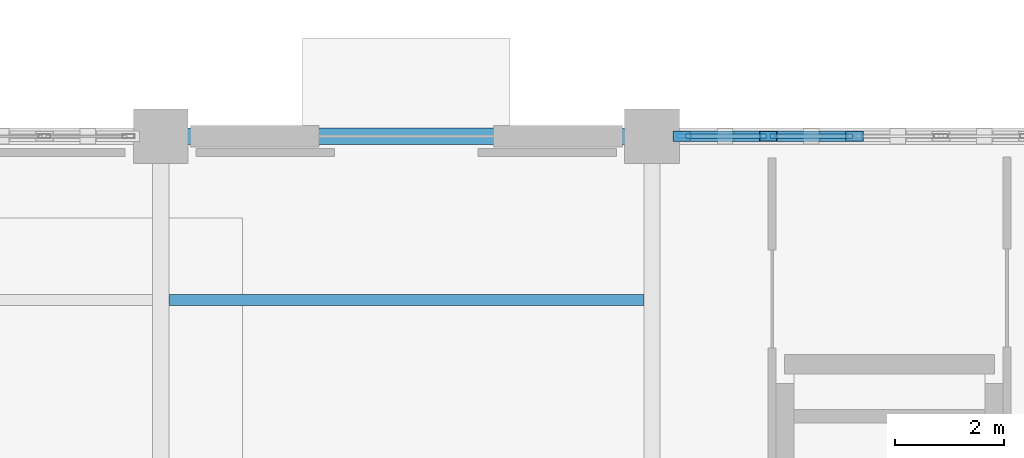
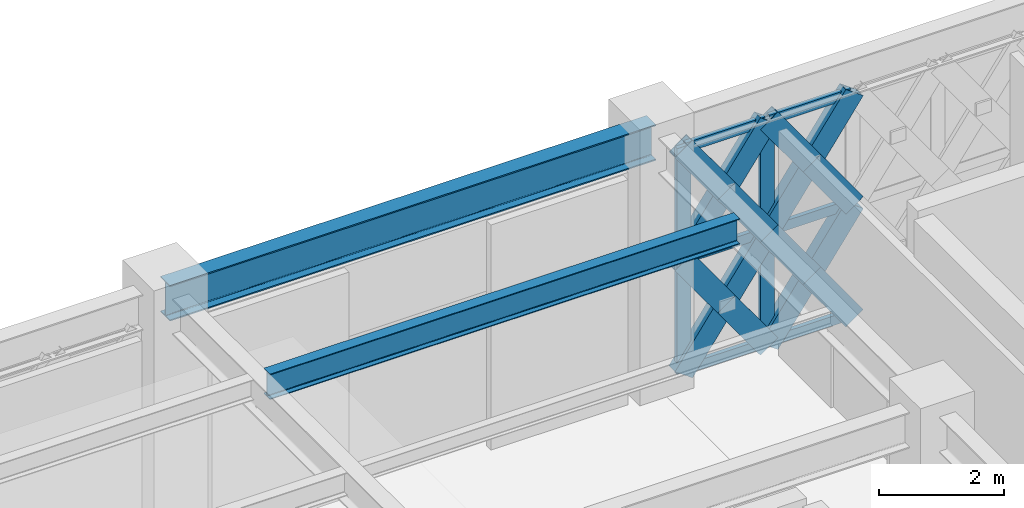
# One storey, part 44 of 140: 20 members, 2 beams, 1 element without a shape of its own.
"""IFC4 building model written with IfcOpenShell, lengths in metres."""

from ifc_helpers import new_model, si_unit, direction, frame, origin, origin_2d, place, context, subcontext, project, spatial, hollow_rectangle, i_section, extrude, material, material_profile, profile_set, type_object, element, aggregate, save


model = new_model("IFC4")

# Units and contexts
model_context = context("Model", 3, precision=1e-05, world=origin(), true_north=direction((0.0, 1.0)))
body_context = subcontext(model_context, "Body", "Model", "MODEL_VIEW")
ifc_project = project(units=[si_unit("LENGTHUNIT", "METRE"), si_unit("AREAUNIT", "SQUARE_METRE"), si_unit("VOLUMEUNIT", "CUBIC_METRE"), si_unit("PLANEANGLEUNIT", "RADIAN"), si_unit("MASSUNIT", "GRAM", prefix="KILO")], contexts=[model_context])

# Site, building, storey
site_placement = place(None, origin())
site = spatial("IfcSite", under=ifc_project, at=site_placement, CompositionType="ELEMENT")
building_placement = place(site_placement, origin())
building = spatial("IfcBuilding", under=site, at=building_placement, Name="Haizhuo Lancet Aquarium", CompositionType="ELEMENT")
storey_placement = place(building_placement, origin())
storey = spatial("IfcBuildingStorey", under=building, at=storey_placement, Name="L00", CompositionType="ELEMENT", Elevation=0.0)

# Beam
ifc_material_1 = material(Name="Steel S355", Category="steel")
ifc_material_profile_1 = material_profile(ifc_material_1, i_section(OverallWidth=0.300048828125, OverallDepth=0.699951171875, WebThickness=0.012939453125, FlangeThickness=0.02392578125, FilletRadius=0.02587890625, at=origin_2d()), Name="HN 700x300x13x24")
ifc_profile_set_1 = profile_set([ifc_material_profile_1], Name="Steel S355")
beam_type_1 = type_object("IfcBeamType", Name="BM-ST-HN700", PredefinedType="BEAM", material=ifc_profile_set_1)
beam_1_placement = place(storey_placement, frame((-63.0, 27.0, 4.77001953125), z_axis=(1.0, 0.0, 0.0), x_axis=(0.0, 1.0, 0.0)))
element("IfcBeam", 1, at=beam_1_placement, inside=storey, type_object=beam_type_1, Name="L00 V2 primary girder BM-L00-V2-012", PredefinedType="BEAM", context=body_context, shape_type="SweptSolid", body=[
    extrude(i_section(OverallWidth=0.300048828125, OverallDepth=0.699951171875, WebThickness=0.012939453125, FlangeThickness=0.02392578125, FilletRadius=0.02587890625, at=origin_2d()), origin(), (0.0, 0.0, 1.0), 9.0),
])

# Curtain wall, members
ifc_material_2 = material(Name="Aluminium 6063-T6", Category="aluminium")
curtain_wall_type = type_object("IfcCurtainWallType", Name="CWD-7910x4420", PredefinedType="NOTDEFINED", material=ifc_material_2)
curtain_wall_placement = place(storey_placement, origin())
curtain_wall = element("IfcCurtainWall", 2, at=curtain_wall_placement, inside=storey, type_object=curtain_wall_type, Name="L00 curtain wall CW-V2-L00-015", PredefinedType="NOTDEFINED")
ifc_material_profile_2 = material_profile(ifc_material_2, hollow_rectangle(XDim=0.080078125, YDim=0.260009765625, WallThickness=0.0048828125, at=origin_2d()), Name="ALU-M 80x260x5")
ifc_profile_set_2 = profile_set([ifc_material_profile_2], Name="Aluminium 6063-T6")
member_type_1 = type_object("IfcMemberType", Name="CW-MUL-3", PredefinedType="MULLION", material=ifc_profile_set_2)
member_1_placement = place(storey_placement, frame((-53.4150390625, 27.0, 0.0), z_axis=(0.0, 0.0, 1.0), x_axis=(0.0, 1.0, 0.0)))
member_1 = element("IfcMember", 3, at=member_1_placement, type_object=member_type_1, Name="CWD-79x44 mullion 1", PredefinedType="MULLION", context=body_context, shape_type="SweptSolid", body=[
    extrude(hollow_rectangle(XDim=0.080078125, YDim=0.260009765625, WallThickness=0.0048828125, at=origin_2d()), origin(), (0.0, 0.0, 1.0), 4.419921875),
])
member_2_placement = place(storey_placement, frame((-51.873046875, 27.0, 0.0), z_axis=(0.0, 0.0, 1.0), x_axis=(0.0, 1.0, 0.0)))
member_2 = element("IfcMember", 4, at=member_2_placement, type_object=member_type_1, Name="CWD-79x44 mullion 2", PredefinedType="MULLION", context=body_context, shape_type="SweptSolid", body=[
    extrude(hollow_rectangle(XDim=0.080078125, YDim=0.260009765625, WallThickness=0.0048828125, at=origin_2d()), origin(), (0.0, 0.0, 1.0), 4.419921875),
])
ifc_material_profile_3 = material_profile(ifc_material_2, hollow_rectangle(XDim=0.080078125, YDim=0.18994140625, WallThickness=0.0048828125, at=origin_2d()), Name="ALU-T 80x190x5")
ifc_profile_set_3 = profile_set([ifc_material_profile_3], Name="Aluminium 6063-T6")
member_type_2 = type_object("IfcMemberType", Name="CW-TRN-3", PredefinedType="NOTDEFINED", material=ifc_profile_set_3)
member_3_placement = place(storey_placement, frame((-53.375, 27.0, 0.0400390625), z_axis=(1.0, 0.0, 0.0), x_axis=(0.0, 1.0, 0.0)))
member_3 = element("IfcMember", 5, at=member_3_placement, type_object=member_type_2, Name="CWD-79x44 transom 1.1", ObjectType="TRANSOM", PredefinedType="USERDEFINED", context=body_context, shape_type="SweptSolid", body=[
    extrude(hollow_rectangle(XDim=0.080078125, YDim=0.18994140625, WallThickness=0.0048828125, at=origin_2d()), origin(), (0.0, 0.0, 1.0), 1.4619140625),
])
member_4_placement = place(storey_placement, frame((-53.375, 27.0, 2.2099609375), z_axis=(1.0, 0.0, 0.0), x_axis=(0.0, 1.0, 0.0)))
member_4 = element("IfcMember", 6, at=member_4_placement, type_object=member_type_2, Name="CWD-79x44 transom 1.2", ObjectType="TRANSOM", PredefinedType="USERDEFINED", context=body_context, shape_type="SweptSolid", body=[
    extrude(hollow_rectangle(XDim=0.080078125, YDim=0.18994140625, WallThickness=0.0048828125, at=origin_2d()), origin(), (0.0, 0.0, 1.0), 1.4619140625),
])
member_5_placement = place(storey_placement, frame((-53.375, 27.0, 4.3798828125), z_axis=(1.0, 0.0, 0.0), x_axis=(0.0, 1.0, 0.0)))
member_5 = element("IfcMember", 7, at=member_5_placement, type_object=member_type_2, Name="CWD-79x44 transom 1.3", ObjectType="TRANSOM", PredefinedType="USERDEFINED", context=body_context, shape_type="SweptSolid", body=[
    extrude(hollow_rectangle(XDim=0.080078125, YDim=0.18994140625, WallThickness=0.0048828125, at=origin_2d()), origin(), (0.0, 0.0, 1.0), 1.4619140625),
])
member_6_placement = place(storey_placement, frame((-51.8330078125, 27.0, 0.0400390625), z_axis=(1.0, 0.0, 0.0), x_axis=(0.0, 1.0, 0.0)))
member_6 = element("IfcMember", 8, at=member_6_placement, type_object=member_type_2, Name="CWD-79x44 transom 2.1", ObjectType="TRANSOM", PredefinedType="USERDEFINED", context=body_context, shape_type="SweptSolid", body=[
    extrude(hollow_rectangle(XDim=0.080078125, YDim=0.18994140625, WallThickness=0.0048828125, at=origin_2d()), origin(), (0.0, 0.0, 1.0), 1.501953125),
])
member_7_placement = place(storey_placement, frame((-51.8330078125, 27.0, 2.2099609375), z_axis=(1.0, 0.0, 0.0), x_axis=(0.0, 1.0, 0.0)))
member_7 = element("IfcMember", 9, at=member_7_placement, type_object=member_type_2, Name="CWD-79x44 transom 2.2", ObjectType="TRANSOM", PredefinedType="USERDEFINED", context=body_context, shape_type="SweptSolid", body=[
    extrude(hollow_rectangle(XDim=0.080078125, YDim=0.18994140625, WallThickness=0.0048828125, at=origin_2d()), origin(), (0.0, 0.0, 1.0), 1.501953125),
])
member_8_placement = place(storey_placement, frame((-51.8330078125, 27.0, 4.3798828125), z_axis=(1.0, 0.0, 0.0), x_axis=(0.0, 1.0, 0.0)))
member_8 = element("IfcMember", 10, at=member_8_placement, type_object=member_type_2, Name="CWD-79x44 transom 2.3", ObjectType="TRANSOM", PredefinedType="USERDEFINED", context=body_context, shape_type="SweptSolid", body=[
    extrude(hollow_rectangle(XDim=0.080078125, YDim=0.18994140625, WallThickness=0.0048828125, at=origin_2d()), origin(), (0.0, 0.0, 1.0), 1.501953125),
])
aggregate(curtain_wall, [member_1, member_2, member_3, member_4, member_5, member_6, member_7, member_8])

# Beam
ifc_material_profile_4 = material_profile(ifc_material_1, i_section(OverallWidth=0.199951171875, OverallDepth=0.5, WebThickness=0.010009765625, FlangeThickness=0.01611328125, FilletRadius=0.02001953125, at=origin_2d()), Name="HN 500x200x10x16")
ifc_profile_set_4 = profile_set([ifc_material_profile_4], Name="Steel S355")
beam_type_2 = type_object("IfcBeamType", Name="JST-ST-HN500", PredefinedType="JOIST", material=ifc_profile_set_4)
beam_2_placement = place(storey_placement, frame((-62.85009765625, 24.0, 4.8701171875), z_axis=(1.0, 0.0, 0.0), x_axis=(0.0, 1.0, 0.0)))
element("IfcBeam", 11, at=beam_2_placement, inside=storey, type_object=beam_type_2, Name="L00 V2 secondary floor joist 9", PredefinedType="JOIST", context=body_context, shape_type="SweptSolid", body=[
    extrude(i_section(OverallWidth=0.199951171875, OverallDepth=0.5, WebThickness=0.010009765625, FlangeThickness=0.01611328125, FilletRadius=0.02001953125, at=origin_2d()), origin(), (0.0, 0.0, 1.0), 8.7001953125),
])

# Members
ifc_material_profile_5 = material_profile(ifc_material_1, hollow_rectangle(XDim=0.199951171875, YDim=0.39990234375, WallThickness=0.011962890625, at=origin_2d()), Name="RHS 200x400x12")
ifc_profile_set_5 = profile_set([ifc_material_profile_5], Name="Steel S355")
member_type_3 = type_object("IfcMemberType", Name="MEM-LB-RHS200x400", PredefinedType="BRACE", material=ifc_profile_set_5)
member_9_placement = place(storey_placement, frame((-53.455078125, 27.0, 0.0), z_axis=(0.582087604305, 0.0, 0.813126079347), x_axis=(0.0, 1.0, 0.0)))
element("IfcMember", 12, at=member_9_placement, inside=storey, type_object=member_type_3, Name="Gothic lancet continuous diagonal brace CW-V2-L00-015 1A", PredefinedType="BRACE", context=body_context, shape_type="SweptSolid", body=[
    extrude(hollow_rectangle(XDim=0.199951171875, YDim=0.39990234375, WallThickness=0.011962890625, at=origin_2d()), origin(), (0.0, 0.0, 1.0), 2.7177734375),
])
for number, where, z_axis, x_axis, name in (
    (13, (-51.873046875, 27.0, 0.0), (-0.582087604305, 0.0, 0.813126079347), (0.0, -1.0, 0.0), "Gothic lancet split diagonal brace CW-V2-L00-015 1B1"),
    (14, (-52.6640625, 27.0, 1.10498046875), (-0.582087604305, 0.0, 0.813126079347), (0.0, -1.0, 0.0), "Gothic lancet split diagonal brace CW-V2-L00-015 1B2"),
):
    element("IfcMember", number, at=place(storey_placement, frame(where, z_axis=z_axis, x_axis=x_axis)), inside=storey, type_object=member_type_3, Name=name, PredefinedType="BRACE", context=body_context, shape_type="SweptSolid", body=[
        extrude(hollow_rectangle(XDim=0.199951171875, YDim=0.39990234375, WallThickness=0.011962890625, at=origin_2d()), origin(), (0.0, 0.0, 1.0), 1.35888671875),
    ])
member_10_placement = place(storey_placement, frame((-53.455078125, 27.0, 2.2099609375), z_axis=(0.582087604305, 0.0, 0.813126079347), x_axis=(0.0, 1.0, 0.0)))
element("IfcMember", 15, at=member_10_placement, inside=storey, type_object=member_type_3, Name="Gothic lancet continuous diagonal brace CW-V2-L00-015 2A", PredefinedType="BRACE", context=body_context, shape_type="SweptSolid", body=[
    extrude(hollow_rectangle(XDim=0.199951171875, YDim=0.39990234375, WallThickness=0.011962890625, at=origin_2d()), origin(), (0.0, 0.0, 1.0), 2.7177734375),
])
for number, where, z_axis, x_axis, name in (
    (16, (-51.873046875, 27.0, 2.2099609375), (-0.582087604305, 0.0, 0.813126079347), (0.0, -1.0, 0.0), "Gothic lancet split diagonal brace CW-V2-L00-015 2B1"),
    (17, (-52.6640625, 27.0, 3.31494140625), (-0.582087604305, 0.0, 0.813126079347), (0.0, -1.0, 0.0), "Gothic lancet split diagonal brace CW-V2-L00-015 2B2"),
):
    element("IfcMember", number, at=place(storey_placement, frame(where, z_axis=z_axis, x_axis=x_axis)), inside=storey, type_object=member_type_3, Name=name, PredefinedType="BRACE", context=body_context, shape_type="SweptSolid", body=[
        extrude(hollow_rectangle(XDim=0.199951171875, YDim=0.39990234375, WallThickness=0.011962890625, at=origin_2d()), origin(), (0.0, 0.0, 1.0), 1.35888671875),
    ])
member_11_placement = place(storey_placement, frame((-51.873046875, 27.0, 0.0), z_axis=(0.582087604305, 0.0, 0.813126079347), x_axis=(0.0, 1.0, 0.0)))
element("IfcMember", 18, at=member_11_placement, inside=storey, type_object=member_type_3, Name="Gothic lancet continuous diagonal brace CW-V2-L00-015 3A", PredefinedType="BRACE", context=body_context, shape_type="SweptSolid", body=[
    extrude(hollow_rectangle(XDim=0.199951171875, YDim=0.39990234375, WallThickness=0.011962890625, at=origin_2d()), origin(), (0.0, 0.0, 1.0), 2.7177734375),
])
for number, where, z_axis, x_axis, name in (
    (19, (-50.291015625, 27.0, 0.0), (-0.582087604305, 0.0, 0.813126079347), (0.0, -1.0, 0.0), "Gothic lancet split diagonal brace CW-V2-L00-015 3B1"),
    (20, (-51.08203125, 27.0, 1.10498046875), (-0.582087604305, 0.0, 0.813126079347), (0.0, -1.0, 0.0), "Gothic lancet split diagonal brace CW-V2-L00-015 3B2"),
):
    element("IfcMember", number, at=place(storey_placement, frame(where, z_axis=z_axis, x_axis=x_axis)), inside=storey, type_object=member_type_3, Name=name, PredefinedType="BRACE", context=body_context, shape_type="SweptSolid", body=[
        extrude(hollow_rectangle(XDim=0.199951171875, YDim=0.39990234375, WallThickness=0.011962890625, at=origin_2d()), origin(), (0.0, 0.0, 1.0), 1.35888671875),
    ])
member_12_placement = place(storey_placement, frame((-51.873046875, 27.0, 2.2099609375), z_axis=(0.582087604305, 0.0, 0.813126079347), x_axis=(0.0, 1.0, 0.0)))
element("IfcMember", 21, at=member_12_placement, inside=storey, type_object=member_type_3, Name="Gothic lancet continuous diagonal brace CW-V2-L00-015 4A", PredefinedType="BRACE", context=body_context, shape_type="SweptSolid", body=[
    extrude(hollow_rectangle(XDim=0.199951171875, YDim=0.39990234375, WallThickness=0.011962890625, at=origin_2d()), origin(), (0.0, 0.0, 1.0), 2.7177734375),
])
for number, where, z_axis, x_axis, name in (
    (22, (-50.291015625, 27.0, 2.2099609375), (-0.582087604305, 0.0, 0.813126079347), (0.0, -1.0, 0.0), "Gothic lancet split diagonal brace CW-V2-L00-015 4B1"),
    (23, (-51.08203125, 27.0, 3.31494140625), (-0.582087604305, 0.0, 0.813126079347), (0.0, -1.0, 0.0), "Gothic lancet split diagonal brace CW-V2-L00-015 4B2"),
):
    element("IfcMember", number, at=place(storey_placement, frame(where, z_axis=z_axis, x_axis=x_axis)), inside=storey, type_object=member_type_3, Name=name, PredefinedType="BRACE", context=body_context, shape_type="SweptSolid", body=[
        extrude(hollow_rectangle(XDim=0.199951171875, YDim=0.39990234375, WallThickness=0.011962890625, at=origin_2d()), origin(), (0.0, 0.0, 1.0), 1.35888671875),
    ])

save(model, "model.ifc")
